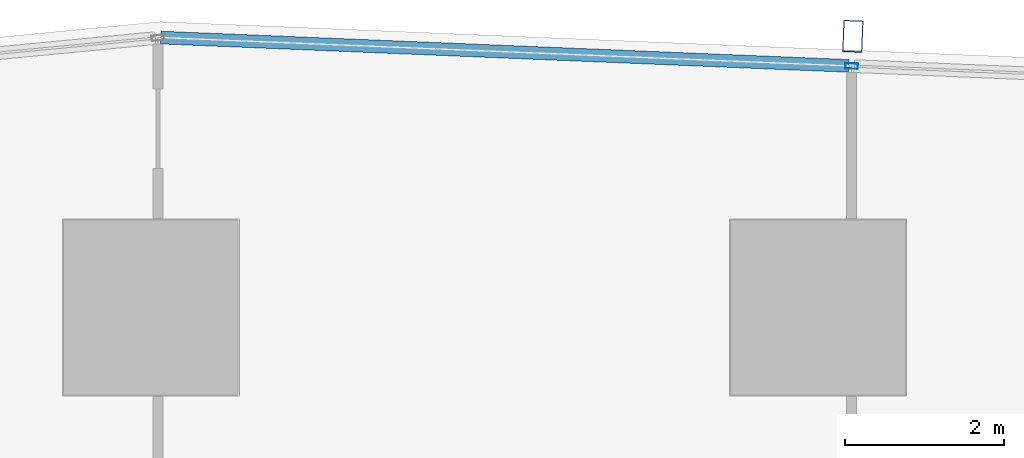
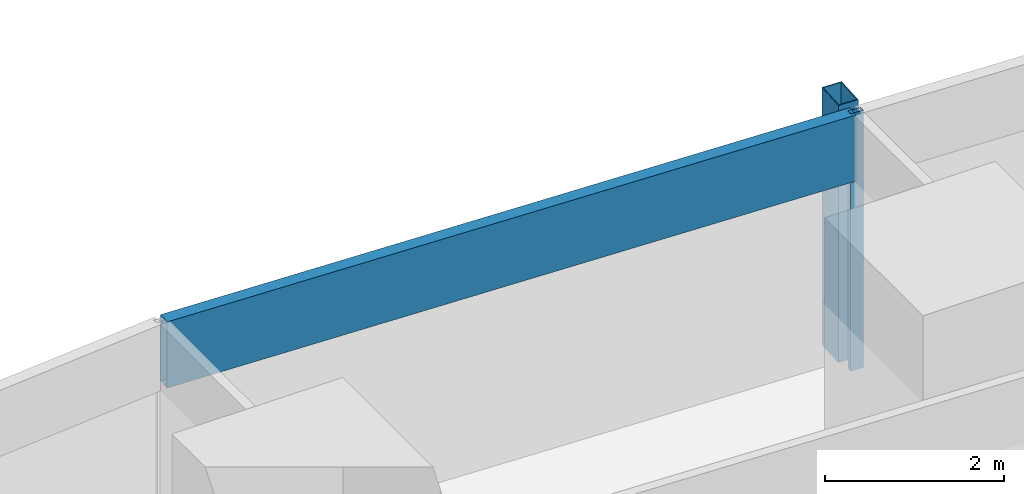
# One storey, part 18 of 44: 3 members, 1 element without a shape of its own.
"""IFC4 building model written with IfcOpenShell, lengths in metres."""

from ifc_helpers import new_model, si_unit, direction, frame, origin, origin_2d, place, context, subcontext, project, spatial, hollow_rectangle, extrude, material, material_profile, profile_set, type_object, element, aggregate, save


model = new_model("IFC4")

# Units and contexts
model_context = context("Model", 3, precision=1e-05, world=origin(), true_north=direction((0.0, 1.0)))
body_context = subcontext(model_context, "Body", "Model", "MODEL_VIEW")
ifc_project = project(units=[si_unit("LENGTHUNIT", "METRE"), si_unit("AREAUNIT", "SQUARE_METRE"), si_unit("VOLUMEUNIT", "CUBIC_METRE"), si_unit("PLANEANGLEUNIT", "RADIAN"), si_unit("MASSUNIT", "GRAM", prefix="KILO")], contexts=[model_context])

# Site, building, storey
site_placement = place(None, origin())
site = spatial("IfcSite", under=ifc_project, at=site_placement, CompositionType="ELEMENT")
building_placement = place(site_placement, origin())
building = spatial("IfcBuilding", under=site, at=building_placement, Name="Rekha Terrace Tower", CompositionType="ELEMENT")
storey_placement = place(building_placement, frame((0.0, 0.0, 66.64990234375)))
storey = spatial("IfcBuildingStorey", under=building, at=storey_placement, Name="L16", CompositionType="ELEMENT", Elevation=66.64990234375)

# Curtain wall, members
ifc_material_1 = material(Name="Aluminium framing", Category="aluminium")
curtain_wall_type = type_object("IfcCurtainWallType", Name="CW3 north unitised glazing", PredefinedType="USERDEFINED", material=ifc_material_1)
curtain_wall_placement = place(storey_placement, origin())
curtain_wall = element("IfcCurtainWall", 1, at=curtain_wall_placement, inside=storey, type_object=curtain_wall_type, Name="CW3 unitised curtain wall", ObjectType="UNITISED CURTAIN WALL", PredefinedType="USERDEFINED")
ifc_material_2 = material(Name="Steel S355 with fluorocarbon finish", Category="steel")
ifc_material_profile_1 = material_profile(ifc_material_2, hollow_rectangle(XDim=0.25, YDim=0.39990234375, WallThickness=0.012451171875, at=origin_2d()), Name="RHS400x250x12.5")
ifc_profile_set_1 = profile_set([ifc_material_profile_1], Name="Steel S355 with fluorocarbon finish")
member_type_1 = type_object("IfcMemberType", Name="BL1 facade blade RHS 400 x 250", PredefinedType="USERDEFINED", material=ifc_profile_set_1)
member_1_placement = place(storey_placement, frame((34.037353515625, 62.2158203125, 0.0), z_axis=(0.0, 0.0, 1.0), x_axis=(-0.99915196507, 0.041174636562, 0.0)))
member_1 = element("IfcMember", 2, at=member_1_placement, type_object=member_type_1, Name="Facade blade", ObjectType="FACADE BLADE", PredefinedType="USERDEFINED", context=body_context, shape_type="SweptSolid", body=[
    extrude(hollow_rectangle(XDim=0.25, YDim=0.39990234375, WallThickness=0.012451171875, at=origin_2d()), origin(), (0.0, 0.0, 1.0), 3.5),
])
ifc_material_3 = material(Name="Aluminium mullion section", Category="aluminium")
ifc_material_profile_2 = material_profile(ifc_material_3, hollow_rectangle(XDim=0.070068359375, YDim=0.159912109375, WallThickness=0.00390625, at=origin_2d()), Name="AL RHS 70x160")
ifc_profile_set_2 = profile_set([ifc_material_profile_2], Name="Aluminium mullion section")
member_type_2 = type_object("IfcMemberType", Name="CW3 mullion RHS 70 x 160", PredefinedType="MULLION", material=ifc_profile_set_2)
member_2_placement = place(storey_placement, frame((34.02197265625, 61.84130859375, 0.0), z_axis=(0.0, 0.0, 1.0), x_axis=(-0.041173846041, -0.999151997647, 0.0)))
member_2 = element("IfcMember", 3, at=member_2_placement, type_object=member_type_2, Name="CW3 mullion 5", PredefinedType="MULLION", context=body_context, shape_type="SweptSolid", body=[
    extrude(hollow_rectangle(XDim=0.070068359375, YDim=0.159912109375, WallThickness=0.00390625, at=origin_2d()), origin(), (0.0, 0.0, 1.0), 3.5),
])
ifc_material_4 = material(Name="Insulated aluminium spandrel box", Category="aluminium")
ifc_material_profile_3 = material_profile(ifc_material_4, hollow_rectangle(XDim=0.159912109375, YDim=0.89990234375, WallThickness=0.0029296875, at=origin_2d()), Name="AL SPANDREL BOX 160x900")
ifc_profile_set_3 = profile_set([ifc_material_profile_3], Name="Insulated aluminium spandrel box")
member_type_3 = type_object("IfcMemberType", Name="CW3 spandrel transom 160 x 900", PredefinedType="USERDEFINED", material=ifc_profile_set_3)
member_3_placement = place(storey_placement, frame((33.987060546875, 61.8427734375, 3.050048828125), z_axis=(-0.999152004012, 0.04117369158, 0.0), x_axis=(-0.04117369158, -0.999152004012, 0.0)))
member_3 = element("IfcMember", 4, at=member_3_placement, type_object=member_type_3, Name="CW3 spandrel transom 5", ObjectType="TRANSOM", PredefinedType="USERDEFINED", context=body_context, shape_type="SweptSolid", body=[
    extrude(hollow_rectangle(XDim=0.159912109375, YDim=0.89990234375, WallThickness=0.0029296875, at=origin_2d()), origin(), (0.0, 0.0, 1.0), 8.6689453125),
])
aggregate(curtain_wall, [member_2, member_3, member_1])

save(model, "model.ifc")
